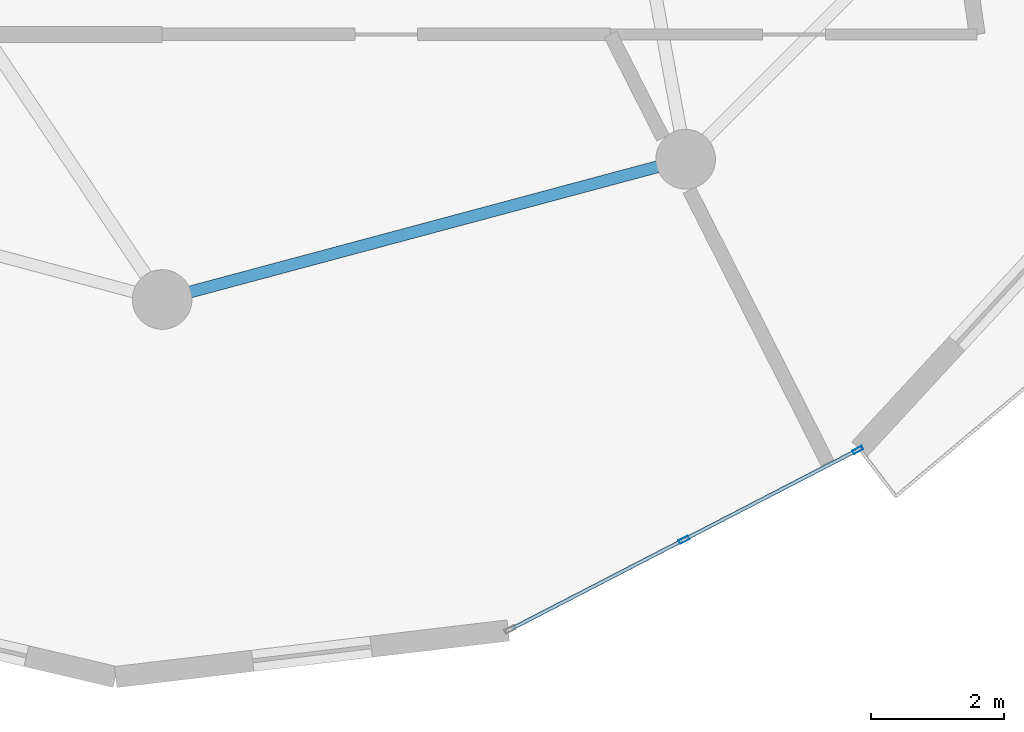
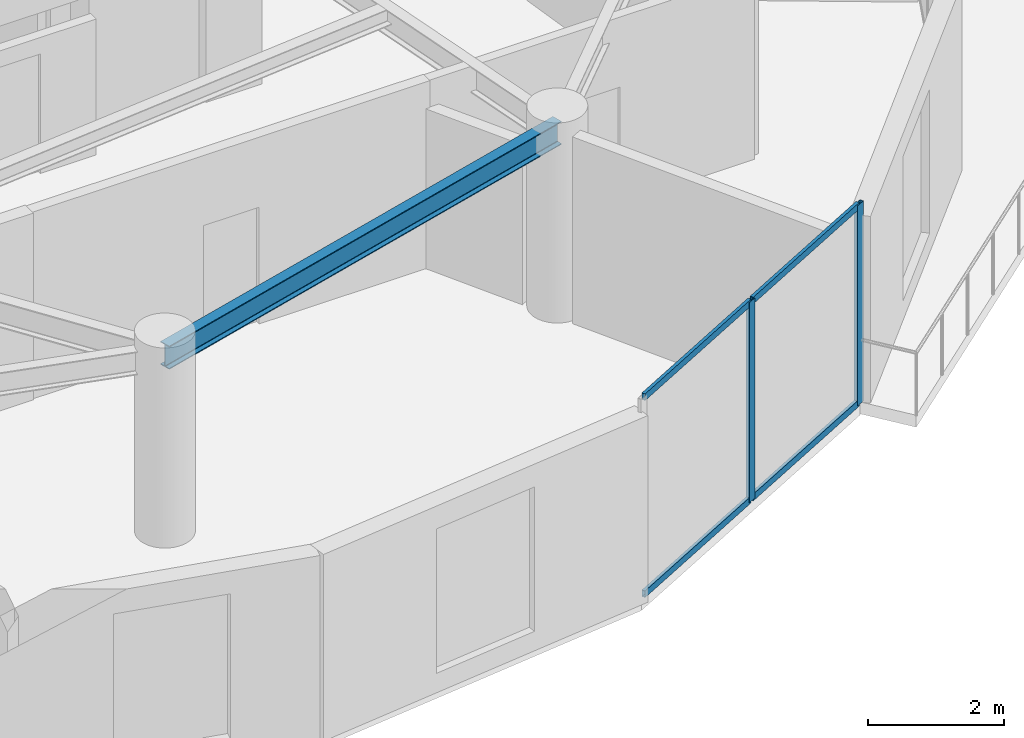
# One storey, part 5 of 22: 6 members, 1 beam, 1 element without a shape of its own.
"""IFC4 building model written with IfcOpenShell, lengths in metres."""

from ifc_helpers import new_model, si_unit, direction, frame, origin, origin_2d, place, context, subcontext, project, spatial, hollow_rectangle, i_section, extrude, source, transform, mapped, material, layer, layer_set, material_profile, profile_set, type_object, element, aggregate, save


model = new_model("IFC4")

# Units and contexts
model_context = context("Model", 3, precision=1e-05, world=origin(), true_north=direction((0.0, 1.0)))
body_context = subcontext(model_context, "Body", "Model", "MODEL_VIEW")
ifc_project = project(units=[si_unit("LENGTHUNIT", "METRE"), si_unit("AREAUNIT", "SQUARE_METRE"), si_unit("VOLUMEUNIT", "CUBIC_METRE"), si_unit("PLANEANGLEUNIT", "RADIAN"), si_unit("MASSUNIT", "GRAM", prefix="KILO")], contexts=[model_context])

# Site, building, storey
site_placement = place(None, origin())
site = spatial("IfcSite", under=ifc_project, at=site_placement, CompositionType="ELEMENT")
building_placement = place(site_placement, origin())
building = spatial("IfcBuilding", under=site, at=building_placement, Name="Solvirekh Grand Hotel", CompositionType="ELEMENT")
storey_placement = place(building_placement, frame((0.0, 0.0, 227.199951171875)))
storey = spatial("IfcBuildingStorey", under=building, at=storey_placement, Name="L59", CompositionType="ELEMENT", Elevation=227.199951171875)

# Beam
ifc_material_1 = material(Name="Steel S355", Category="steel")
ifc_material_profile_1 = material_profile(ifc_material_1, i_section(OverallWidth=0.180908203125, OverallDepth=0.4169921875, WebThickness=0.010009765625, FlangeThickness=0.01611328125, FilletRadius=0.011962890625, at=origin_2d()), Name="W410X85")
ifc_profile_set_1 = profile_set([ifc_material_profile_1], Name="Steel S355")
beam_type = type_object("IfcBeamType", Name="Spandrel_Ring_W410", PredefinedType="SPANDREL", material=ifc_profile_set_1)
beam_placement = place(storey_placement, frame((0.0, -15.800048828125, 3.152099609375), z_axis=(0.965920601923, 0.258838541915, 0.0), x_axis=(-0.258838541915, 0.965920601923, 0.0)))
element("IfcBeam", 1, at=beam_placement, inside=storey, type_object=beam_type, Name="L59 perimeter spandrel beam 10", PredefinedType="SPANDREL", context=body_context, shape_type="SweptSolid", body=[
    extrude(i_section(OverallWidth=0.180908203125, OverallDepth=0.4169921875, WebThickness=0.010009765625, FlangeThickness=0.01611328125, FilletRadius=0.011962890625, at=origin_2d()), origin(), (0.0, 0.0, 1.0), 8.1787109375),
])

# Curtain wall, members
ifc_material_2 = material(Name="Anodized Bronze Aluminium 6063-T6", Category="aluminium")
ifc_layer = layer(ifc_material_2, 0.159912109375)
ifc_layer_set = layer_set([ifc_layer], Name="Anodized Bronze Aluminium 6063-T6")
curtain_wall_type = type_object("IfcCurtainWallType", Name="CW_Sys4_HighZoneFlushBronzeCW", PredefinedType="NOTDEFINED", material=ifc_layer_set)
curtain_wall_placement = place(storey_placement, origin())
curtain_wall = element("IfcCurtainWall", 2, at=curtain_wall_placement, inside=storey, type_object=curtain_wall_type, Name="L59 unitised bronze-glass curtain wall CW-L59-C01", PredefinedType="NOTDEFINED")
ifc_material_profile_2 = material_profile(ifc_material_2, hollow_rectangle(XDim=0.06005859375, YDim=0.159912109375, WallThickness=0.0048828125, at=origin_2d()), Name="ALU RHS 160X60X5")
ifc_profile_set_2 = profile_set([ifc_material_profile_2], Name="Anodized Bronze Aluminium 6063-T6")
member_type_1 = type_object("IfcMemberType", Name="CWMullion_Sys4", PredefinedType="MULLION", material=ifc_profile_set_2)
shared_shape_1 = source(origin(), body_context, "Body", "SweptSolid", [
    extrude(hollow_rectangle(XDim=0.06005859375, YDim=0.159912109375, WallThickness=0.0048828125, at=origin_2d()), origin(), (0.0, 0.0, 1.0), 3.60009765625),
])
member_1_placement = place(storey_placement, frame((7.87451171875, -19.426025390625, 0.0), z_axis=(0.0, 0.0, 1.0), x_axis=(-0.45890759983, 0.888483998065, 0.0)))
member_1 = element("IfcMember", 3, at=member_1_placement, type_object=member_type_1, Name="U04 mullion 2", PredefinedType="MULLION", context=body_context, shape_type="MappedRepresentation", body=[
    mapped(shared_shape_1, transform((0.0, 0.0, 0.0), x_axis=(1.0, 0.0, 0.0), y_axis=(0.0, 1.0, 0.0), z_axis=(0.0, 0.0, 1.0), scale=1.0)),
])
member_2_placement = place(storey_placement, frame((10.498291015625, -18.07080078125, 0.0), z_axis=(0.0, 0.0, 1.0), x_axis=(-0.45890759983, 0.888483998065, 0.0)))
member_2 = element("IfcMember", 4, at=member_2_placement, type_object=member_type_1, Name="U04 mullion 3", PredefinedType="MULLION", context=body_context, shape_type="MappedRepresentation", body=[
    mapped(shared_shape_1, transform((0.0, 0.0, 0.0), x_axis=(1.0, 0.0, 0.0), y_axis=(0.0, 1.0, 0.0), z_axis=(0.0, 0.0, 1.0), scale=1.0)),
])
ifc_material_profile_3 = material_profile(ifc_material_2, hollow_rectangle(XDim=0.054931640625, YDim=0.1201171875, WallThickness=0.00390625, at=origin_2d()), Name="ALU RHS 120X55X4")
ifc_profile_set_3 = profile_set([ifc_material_profile_3], Name="Anodized Bronze Aluminium 6063-T6")
member_type_2 = type_object("IfcMemberType", Name="CWTransom_Sys4", PredefinedType="USERDEFINED", material=ifc_profile_set_3)
shared_shape_2 = source(origin(), body_context, "Body", "SweptSolid", [
    extrude(hollow_rectangle(XDim=0.054931640625, YDim=0.1201171875, WallThickness=0.00390625, at=origin_2d()), origin(), (0.0, 0.0, 1.0), 2.893310546875),
])
member_3_placement = place(storey_placement, frame((5.27734375, -20.767578125, 0.027587890625), z_axis=(0.88845974241, 0.45895455779, 0.0), x_axis=(-0.45895455779, 0.88845974241, 0.0)))
member_3 = element("IfcMember", 5, at=member_3_placement, type_object=member_type_2, Name="U04 transom 1.1", ObjectType="TRANSOM", PredefinedType="USERDEFINED", context=body_context, shape_type="MappedRepresentation", body=[
    mapped(shared_shape_2, transform((0.0, 0.0, 0.0), x_axis=(1.0, 0.0, 0.0), y_axis=(0.0, 1.0, 0.0), z_axis=(0.0, 0.0, 1.0), scale=1.0)),
])
member_4_placement = place(storey_placement, frame((5.27734375, -20.767578125, 3.572509765625), z_axis=(0.88845974241, 0.45895455779, 0.0), x_axis=(-0.45895455779, 0.88845974241, 0.0)))
member_4 = element("IfcMember", 6, at=member_4_placement, type_object=member_type_2, Name="U04 transom 1.2", ObjectType="TRANSOM", PredefinedType="USERDEFINED", context=body_context, shape_type="MappedRepresentation", body=[
    mapped(shared_shape_2, transform((0.0, 0.0, 0.0), x_axis=(1.0, 0.0, 0.0), y_axis=(0.0, 1.0, 0.0), z_axis=(0.0, 0.0, 1.0), scale=1.0)),
])
member_5_placement = place(storey_placement, frame((7.901123046875, -19.412353515625, 0.027587890625), z_axis=(0.88845974241, 0.45895455779, 0.0), x_axis=(-0.45895455779, 0.88845974241, 0.0)))
member_5 = element("IfcMember", 7, at=member_5_placement, type_object=member_type_2, Name="U04 transom 2.1", ObjectType="TRANSOM", PredefinedType="USERDEFINED", context=body_context, shape_type="MappedRepresentation", body=[
    mapped(shared_shape_2, transform((0.0, 0.0, 0.0), x_axis=(1.0, 0.0, 0.0), y_axis=(0.0, 1.0, 0.0), z_axis=(0.0, 0.0, 1.0), scale=1.0)),
])
member_6_placement = place(storey_placement, frame((7.901123046875, -19.412353515625, 3.572509765625), z_axis=(0.88845974241, 0.45895455779, 0.0), x_axis=(-0.45895455779, 0.88845974241, 0.0)))
member_6 = element("IfcMember", 8, at=member_6_placement, type_object=member_type_2, Name="U04 transom 2.2", ObjectType="TRANSOM", PredefinedType="USERDEFINED", context=body_context, shape_type="MappedRepresentation", body=[
    mapped(shared_shape_2, transform((0.0, 0.0, 0.0), x_axis=(1.0, 0.0, 0.0), y_axis=(0.0, 1.0, 0.0), z_axis=(0.0, 0.0, 1.0), scale=1.0)),
])
aggregate(curtain_wall, [member_1, member_2, member_3, member_4, member_5, member_6])

save(model, "model.ifc")
